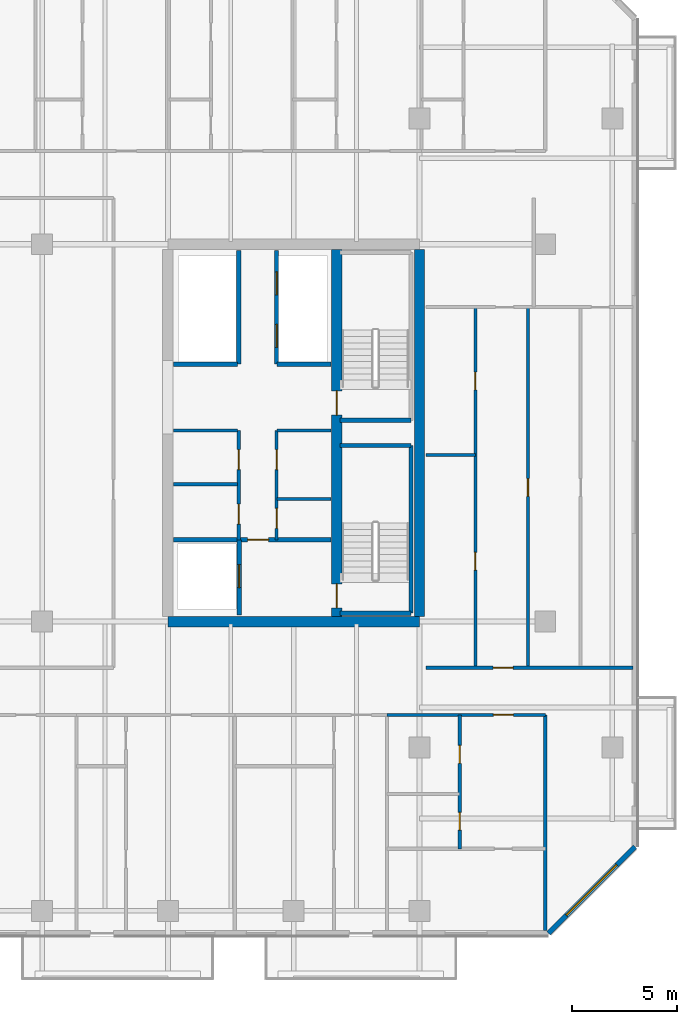
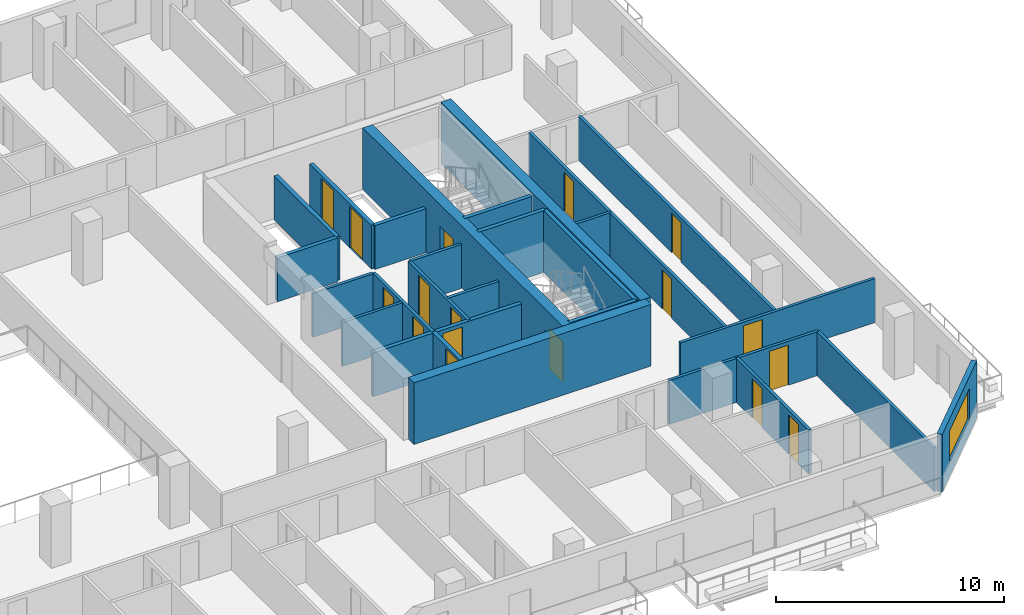
# One storey, part 15 of 23: 27 walls, 17 doors, 1 window, 18 openings.
"""IFC4 building model written with IfcOpenShell, lengths in metres."""

from ifc_helpers import new_model, si_unit, direction, frame, frame_2d, origin, place, context, subcontext, project, spatial, rectangle, extrude, material, layer, layer_set, type_object, element, fill, save


model = new_model("IFC4")

# Units and contexts
model_context = context("Model", 3, precision=1e-05, world=origin(), true_north=direction((0.0, 1.0)))
body_context = subcontext(model_context, "Body", "Model", "MODEL_VIEW")
ifc_project = project(units=[si_unit("LENGTHUNIT", "METRE"), si_unit("AREAUNIT", "SQUARE_METRE"), si_unit("VOLUMEUNIT", "CUBIC_METRE"), si_unit("PLANEANGLEUNIT", "RADIAN"), si_unit("MASSUNIT", "GRAM", prefix="KILO")], contexts=[model_context])

# Site, building, storey
site_placement = place(None, origin())
site = spatial("IfcSite", under=ifc_project, at=site_placement, CompositionType="ELEMENT")
building_placement = place(site_placement, origin())
building = spatial("IfcBuilding", under=site, at=building_placement, Name="Tanjung Sevakor Pilgrim Tower", CompositionType="ELEMENT")
storey_placement = place(building_placement, frame((0.0, 0.0, 101.969970703125)))
storey = spatial("IfcBuildingStorey", under=building, at=storey_placement, Name="L28", CompositionType="ELEMENT", Elevation=101.969970703125)

# Walls
ifc_material_1 = material(Name="Concrete C60/75", Category="concrete")
ifc_layer_1 = layer(ifc_material_1, 0.5)
ifc_layer_set_1 = layer_set([ifc_layer_1], Name="WALL-CW-500")
wall_type_1 = type_object("IfcWallType", Name="WALL-CW-500", PredefinedType="SHEAR", material=ifc_layer_set_1)
wall_1_placement = place(storey_placement, frame((78.0, 24.60009765625, 0.0), z_axis=(0.0, 0.0, 1.0), x_axis=(1.0, 0.0, 0.0)))
element("IfcWall", 1, at=wall_1_placement, inside=storey, type_object=wall_type_1, Name="L28 E Core South Shear Wall", PredefinedType="SHEAR", context=body_context, shape_type="SweptSolid", body=[
    extrude(rectangle(XDim=12.0, YDim=0.5, at=frame_2d((6.0, 0.0))), origin(), (0.0, 0.0, 1.0), 3.300048828125),
])
wall_2_placement = place(storey_placement, frame((90.0, 24.85009765625, 0.0), z_axis=(0.0, 0.0, 1.0), x_axis=(0.0, 1.0, 0.0)))
element("IfcWall", 2, at=wall_2_placement, inside=storey, type_object=wall_type_1, Name="L28 E Core Outer Shear Wall", PredefinedType="SHEAR", context=body_context, shape_type="SweptSolid", body=[
    extrude(rectangle(XDim=17.5, YDim=0.5, at=frame_2d((8.75, 0.0))), origin(), (0.0, 0.0, 1.0), 3.300048828125),
])

# Wall, openings, doors
wall_3_placement = place(storey_placement, frame((86.050048828125, 24.85009765625, 0.0), z_axis=(0.0, 0.0, 1.0), x_axis=(0.0, 1.0, 0.0)))
wall_3 = element("IfcWall", 3, at=wall_3_placement, inside=storey, type_object=wall_type_1, Name="L28 E Core Stair Spine Wall", PredefinedType="SHEAR", context=body_context, shape_type="SweptSolid", body=[
    extrude(rectangle(XDim=17.5, YDim=0.5, at=frame_2d((8.75, 0.0))), origin(), (0.0, 0.0, 1.0), 3.300048828125),
])
opening_1_placement = place(wall_3_placement, frame((0.39990234375, 0.0, 0.0)))
opening_1 = element("IfcOpeningElement", 4, at=opening_1_placement, cuts=wall_3, Name="Opening ID-ST1", PredefinedType="OPENING", context=body_context, shape_type="SweptSolid", body=[
    extrude(rectangle(XDim=1.14990234375, YDim=2.14990234375, at=frame_2d((0.574951171875, 1.074951171875))), frame((0.0, 0.260009765625, 0.0), z_axis=(0.0, -1.0, 0.0), x_axis=(1.0, 0.0, 0.0)), (0.0, 0.0, 1.0), 0.52001953125),
])
opening_2_placement = place(wall_3_placement, frame((9.60009765625, 0.0, 0.0)))
opening_2 = element("IfcOpeningElement", 5, at=opening_2_placement, cuts=wall_3, Name="Opening ID-ST1", PredefinedType="OPENING", context=body_context, shape_type="SweptSolid", body=[
    extrude(rectangle(XDim=1.14990234375, YDim=2.14990234375, at=frame_2d((0.574951171875, 1.074951171875))), frame((0.0, 0.260009765625, 0.0), z_axis=(0.0, -1.0, 0.0), x_axis=(1.0, 0.0, 0.0)), (0.0, 0.0, 1.0), 0.52001953125),
])
ifc_material_2 = material(Name="Fire-Rated Steel S355J2", Category="steel")
door_type_1 = type_object("IfcDoorType", Name="DT-FIRE-1150", OperationType="NOTDEFINED", PredefinedType="DOOR", material=ifc_material_2)
door_1_placement = place(opening_1_placement, origin())
door_1 = element("IfcDoor", 6, at=door_1_placement, inside=storey, type_object=door_type_1, Name="L28 TS-E1 Stair Fire Door", OperationType="SINGLE_SWING_LEFT", OverallHeight=2.14990234375, OverallWidth=1.14990234375, PredefinedType="DOOR", context=body_context, shape_type="SweptSolid", body=[
    extrude(rectangle(XDim=1.14990234375, YDim=2.14990234375, at=frame_2d((0.574951171875, 1.074951171875))), frame((0.0, 0.02490234375, 0.0), z_axis=(0.0, -1.0, 0.0), x_axis=(1.0, 0.0, 0.0)), (0.0, 0.0, 1.0), 0.050048828125),
])
fill(opening_1, door_1)
door_2_placement = place(opening_2_placement, origin())
door_2 = element("IfcDoor", 7, at=door_2_placement, inside=storey, type_object=door_type_1, Name="L28 TS-E2 Stair Fire Door", OperationType="SINGLE_SWING_RIGHT", OverallHeight=2.14990234375, OverallWidth=1.14990234375, PredefinedType="DOOR", context=body_context, shape_type="SweptSolid", body=[
    extrude(rectangle(XDim=1.14990234375, YDim=2.14990234375, at=frame_2d((0.574951171875, 1.074951171875))), frame((0.0, 0.02490234375, 0.0), z_axis=(0.0, -1.0, 0.0), x_axis=(1.0, 0.0, 0.0)), (0.0, 0.0, 1.0), 0.050048828125),
])
fill(opening_2, door_2)

# Walls
ifc_material_3 = material(Name="Concrete C40/50", Category="concrete")
ifc_layer_2 = layer(ifc_material_3, 0.14990234375)
ifc_layer_set_2 = layer_set([ifc_layer_2], Name="WT-COMP-150")
wall_type_2 = type_object("IfcWallType", Name="WT-COMP-150", PredefinedType="SOLIDWALL", material=ifc_layer_set_2)
for number, where, z_axis, x_axis, name in (
    (8, (83.199951171875, 30.449951171875, 0.0), (0.0, 0.0, 1.0), (1.0, 0.0, 0.0), "L28 Partition IW-L28-015"),
    (9, (83.199951171875, 33.719970703125, 0.0), (0.0, 0.0, 1.0), (1.0, 0.0, 0.0), "L28 Partition IW-L28-016"),
):
    element("IfcWall", number, at=place(storey_placement, frame(where, z_axis=z_axis, x_axis=x_axis)), inside=storey, type_object=wall_type_2, Name=name, PredefinedType="SOLIDWALL", context=body_context, shape_type="SweptSolid", body=[
        extrude(rectangle(XDim=2.580078125, YDim=0.14990234375, at=frame_2d((1.2900390625, 0.0))), origin(), (0.0, 0.0, 1.0), 2.35009765625),
    ])

# Wall, openings, doors
wall_4_placement = place(storey_placement, frame((83.179931640625, 28.5, 0.0), z_axis=(0.0, 0.0, 1.0), x_axis=(0.0, 1.0, 0.0)))
wall_4 = element("IfcWall", 10, at=wall_4_placement, inside=storey, type_object=wall_type_2, Name="L28 Partition IW-L28-017", PredefinedType="SOLIDWALL", context=body_context, shape_type="SweptSolid", body=[
    extrude(rectangle(XDim=5.219970703125, YDim=0.14990234375, at=frame_2d((2.60986328125, 0.0))), origin(), (0.0, 0.0, 1.0), 2.35009765625),
])
opening_3_placement = place(wall_4_placement, frame((0.550048828125, 0.0, 0.0)))
opening_3 = element("IfcOpeningElement", 11, at=opening_3_placement, cuts=wall_4, Name="Opening ID-FD2", PredefinedType="OPENING", context=body_context, shape_type="SweptSolid", body=[
    extrude(rectangle(XDim=0.949951171875, YDim=2.14990234375, at=frame_2d((0.47509765625, 1.074951171875))), frame((0.0, 0.0849609375, 0.0), z_axis=(0.0, -1.0, 0.0), x_axis=(1.0, 0.0, 0.0)), (0.0, 0.0, 1.0), 0.169921875),
])
opening_4_placement = place(wall_4_placement, frame((3.35009765625, 0.0, 0.0)))
opening_4 = element("IfcOpeningElement", 12, at=opening_4_placement, cuts=wall_4, Name="Opening ID-FD2", PredefinedType="OPENING", context=body_context, shape_type="SweptSolid", body=[
    extrude(rectangle(XDim=0.949951171875, YDim=2.14990234375, at=frame_2d((0.47509765625, 1.074951171875))), frame((0.0, 0.0849609375, 0.0), z_axis=(0.0, -1.0, 0.0), x_axis=(1.0, 0.0, 0.0)), (0.0, 0.0, 1.0), 0.169921875),
])
ifc_material_4 = material(Name="Fire-Rated Timber", Category="wood")
door_type_2 = type_object("IfcDoorType", Name="DT-FIRE-950", OperationType="NOTDEFINED", PredefinedType="DOOR", material=ifc_material_4)
door_3_placement = place(opening_3_placement, origin())
door_3 = element("IfcDoor", 13, at=door_3_placement, inside=storey, type_object=door_type_2, Name="L28 Cleaner Store Door", OperationType="SINGLE_SWING_RIGHT", OverallHeight=2.14990234375, OverallWidth=0.949951171875, PredefinedType="DOOR", context=body_context, shape_type="SweptSolid", body=[
    extrude(rectangle(XDim=0.949951171875, YDim=2.14990234375, at=frame_2d((0.47509765625, 1.074951171875))), frame((0.0, 0.02490234375, 0.0), z_axis=(0.0, -1.0, 0.0), x_axis=(1.0, 0.0, 0.0)), (0.0, 0.0, 1.0), 0.050048828125),
])
fill(opening_3, door_3)
door_4_placement = place(opening_4_placement, origin())
door_4 = element("IfcDoor", 14, at=door_4_placement, inside=storey, type_object=door_type_2, Name="L28 Housekeeping Pantry Door", OperationType="SINGLE_SWING_LEFT", OverallHeight=2.14990234375, OverallWidth=0.949951171875, PredefinedType="DOOR", context=body_context, shape_type="SweptSolid", body=[
    extrude(rectangle(XDim=0.949951171875, YDim=2.14990234375, at=frame_2d((0.47509765625, 1.074951171875))), frame((0.0, 0.02490234375, 0.0), z_axis=(0.0, -1.0, 0.0), x_axis=(1.0, 0.0, 0.0)), (0.0, 0.0, 1.0), 0.050048828125),
])
fill(opening_4, door_4)

# Walls
for number, where, z_axis, x_axis, name in (
    (15, (78.27001953125, 31.14990234375, 0.0), (0.0, 0.0, 1.0), (1.0, 0.0, 0.0), "L28 Partition IW-L28-018"),
    (16, (78.27001953125, 33.719970703125, 0.0), (0.0, 0.0, 1.0), (1.0, 0.0, 0.0), "L28 Partition IW-L28-019"),
):
    element("IfcWall", number, at=place(storey_placement, frame(where, z_axis=z_axis, x_axis=x_axis)), inside=storey, type_object=wall_type_2, Name=name, PredefinedType="SOLIDWALL", context=body_context, shape_type="SweptSolid", body=[
        extrude(rectangle(XDim=3.050048828125, YDim=0.14990234375, at=frame_2d((1.52490234375, 0.0))), origin(), (0.0, 0.0, 1.0), 2.35009765625),
    ])

# Wall, openings, doors
wall_5_placement = place(storey_placement, frame((81.3798828125, 28.5, 0.0), z_axis=(0.0, 0.0, 1.0), x_axis=(0.0, 1.0, 0.0)))
wall_5 = element("IfcWall", 17, at=wall_5_placement, inside=storey, type_object=wall_type_2, Name="L28 Partition IW-L28-020", PredefinedType="SOLIDWALL", context=body_context, shape_type="SweptSolid", body=[
    extrude(rectangle(XDim=5.219970703125, YDim=0.14990234375, at=frame_2d((2.60986328125, 0.0))), origin(), (0.0, 0.0, 1.0), 2.35009765625),
])
opening_5_placement = place(wall_5_placement, frame((0.75, 0.0, 0.0)))
opening_5 = element("IfcOpeningElement", 18, at=opening_5_placement, cuts=wall_5, Name="Opening ID-FD2", PredefinedType="OPENING", context=body_context, shape_type="SweptSolid", body=[
    extrude(rectangle(XDim=0.949951171875, YDim=2.14990234375, at=frame_2d((0.47509765625, 1.074951171875))), frame((0.0, 0.0849609375, 0.0), z_axis=(0.0, -1.0, 0.0), x_axis=(1.0, 0.0, 0.0)), (0.0, 0.0, 1.0), 0.169921875),
])
opening_6_placement = place(wall_5_placement, frame((3.35009765625, 0.0, 0.0)))
opening_6 = element("IfcOpeningElement", 19, at=opening_6_placement, cuts=wall_5, Name="Opening ID-FD2", PredefinedType="OPENING", context=body_context, shape_type="SweptSolid", body=[
    extrude(rectangle(XDim=0.949951171875, YDim=2.14990234375, at=frame_2d((0.47509765625, 1.074951171875))), frame((0.0, 0.0849609375, 0.0), z_axis=(0.0, -1.0, 0.0), x_axis=(1.0, 0.0, 0.0)), (0.0, 0.0, 1.0), 0.169921875),
])
door_5_placement = place(opening_5_placement, origin())
door_5 = element("IfcDoor", 20, at=door_5_placement, inside=storey, type_object=door_type_2, Name="L28 Accessible WC Door", OperationType="SINGLE_SWING_RIGHT", OverallHeight=2.14990234375, OverallWidth=0.949951171875, PredefinedType="DOOR", context=body_context, shape_type="SweptSolid", body=[
    extrude(rectangle(XDim=0.949951171875, YDim=2.14990234375, at=frame_2d((0.47509765625, 1.074951171875))), frame((0.0, 0.02490234375, 0.0), z_axis=(0.0, -1.0, 0.0), x_axis=(1.0, 0.0, 0.0)), (0.0, 0.0, 1.0), 0.050048828125),
])
fill(opening_5, door_5)
door_6_placement = place(opening_6_placement, origin())
door_6 = element("IfcDoor", 21, at=door_6_placement, inside=storey, type_object=door_type_2, Name="L28 Core Service Door", OperationType="SINGLE_SWING_LEFT", OverallHeight=2.14990234375, OverallWidth=0.949951171875, PredefinedType="DOOR", context=body_context, shape_type="SweptSolid", body=[
    extrude(rectangle(XDim=0.949951171875, YDim=2.14990234375, at=frame_2d((0.47509765625, 1.074951171875))), frame((0.0, 0.02490234375, 0.0), z_axis=(0.0, -1.0, 0.0), x_axis=(1.0, 0.0, 0.0)), (0.0, 0.0, 1.0), 0.050048828125),
])
fill(opening_6, door_6)

# Wall, opening, door
wall_6_placement = place(storey_placement, frame((90.320068359375, 22.39990234375, 0.0), z_axis=(0.0, 0.0, 1.0), x_axis=(1.0, 0.0, 0.0)))
wall_6 = element("IfcWall", 22, at=wall_6_placement, inside=storey, type_object=wall_type_2, Name="L28 Partition IW-L28-040", PredefinedType="SOLIDWALL", context=body_context, shape_type="SweptSolid", body=[
    extrude(rectangle(XDim=9.869873046875, YDim=0.14990234375, at=frame_2d((4.93505859375, 0.0))), origin(), (0.0, 0.0, 1.0), 2.35009765625),
])
opening_7_placement = place(wall_6_placement, frame((3.193359375, 0.0, 0.0)))
opening_7 = element("IfcOpeningElement", 23, at=opening_7_placement, cuts=wall_6, Name="Opening ID-FD2", PredefinedType="OPENING", context=body_context, shape_type="SweptSolid", body=[
    extrude(rectangle(XDim=0.949951171875, YDim=2.14990234375, at=frame_2d((0.47509765625, 1.074951171875))), frame((0.0, 0.0849609375, 0.0), z_axis=(0.0, -1.0, 0.0), x_axis=(1.0, 0.0, 0.0)), (0.0, 0.0, 1.0), 0.169921875),
])
door_7_placement = place(opening_7_placement, origin())
door_7 = element("IfcDoor", 24, at=door_7_placement, inside=storey, type_object=door_type_2, Name="Suite Entrance", OperationType="SINGLE_SWING_LEFT", OverallHeight=2.14990234375, OverallWidth=0.949951171875, PredefinedType="DOOR", context=body_context, shape_type="SweptSolid", body=[
    extrude(rectangle(XDim=0.949951171875, YDim=2.14990234375, at=frame_2d((0.47509765625, 1.074951171875))), frame((0.0, 0.02490234375, 0.0), z_axis=(0.0, -1.0, 0.0), x_axis=(1.0, 0.0, 0.0)), (0.0, 0.0, 1.0), 0.050048828125),
])
fill(opening_7, door_7)

# Wall
wall_7_placement = place(storey_placement, frame((96.0, 9.85009765625, 0.0), z_axis=(0.0, 0.0, 1.0), x_axis=(0.0, 1.0, 0.0)))
element("IfcWall", 25, at=wall_7_placement, inside=storey, type_object=wall_type_2, Name="L28 Partition IW-L28-057", PredefinedType="SOLIDWALL", context=body_context, shape_type="SweptSolid", body=[
    extrude(rectangle(XDim=10.2998046875, YDim=0.14990234375, at=frame_2d((5.14990234375, 0.0))), origin(), (0.0, 0.0, 1.0), 2.35009765625),
])

# Wall, opening, door
wall_8_placement = place(storey_placement, frame((88.453857421875, 20.14990234375, 0.0), z_axis=(0.0, 0.0, 1.0), x_axis=(1.0, 0.0, 0.0)))
wall_8 = element("IfcWall", 26, at=wall_8_placement, inside=storey, type_object=wall_type_2, Name="L28 Partition IW-L28-079", PredefinedType="SOLIDWALL", context=body_context, shape_type="SweptSolid", body=[
    extrude(rectangle(XDim=7.546142578125, YDim=0.14990234375, at=frame_2d((3.77294921875, 0.0))), origin(), (0.0, 0.0, 1.0), 2.35009765625),
])
opening_8_placement = place(wall_8_placement, frame((5.0712890625, 0.0, 0.0)))
opening_8 = element("IfcOpeningElement", 27, at=opening_8_placement, cuts=wall_8, Name="Opening ID-FD2", PredefinedType="OPENING", context=body_context, shape_type="SweptSolid", body=[
    extrude(rectangle(XDim=0.949951171875, YDim=2.14990234375, at=frame_2d((0.47509765625, 1.074951171875))), frame((0.0, 0.0849609375, 0.0), z_axis=(0.0, -1.0, 0.0), x_axis=(1.0, 0.0, 0.0)), (0.0, 0.0, 1.0), 0.169921875),
])
door_8_placement = place(opening_8_placement, origin())
door_8 = element("IfcDoor", 28, at=door_8_placement, inside=storey, type_object=door_type_2, Name="Residence Entrance", OperationType="SINGLE_SWING_LEFT", OverallHeight=2.14990234375, OverallWidth=0.949951171875, PredefinedType="DOOR", context=body_context, shape_type="SweptSolid", body=[
    extrude(rectangle(XDim=0.949951171875, YDim=2.14990234375, at=frame_2d((0.47509765625, 1.074951171875))), frame((0.0, 0.02490234375, 0.0), z_axis=(0.0, -1.0, 0.0), x_axis=(1.0, 0.0, 0.0)), (0.0, 0.0, 1.0), 0.050048828125),
])
fill(opening_8, door_8)

# Wall, opening, window
ifc_material_5 = material(Name="Precast concrete C45/55", Category="concrete")
ifc_layer_3 = layer(ifc_material_5, 0.25)
ifc_layer_set_3 = layer_set([ifc_layer_3], Name="WT-EW-STN3")
wall_type_3 = type_object("IfcWallType", Name="WT-EW-STN3", PredefinedType="SOLIDWALL", material=ifc_layer_set_3)
wall_9_placement = place(storey_placement, frame((96.148193359375, 9.72509765625, 0.0), z_axis=(0.0, 0.0, 1.0), x_axis=(0.707106781187, 0.707106781187, 0.0)))
wall_9 = element("IfcWall", 29, at=wall_9_placement, inside=storey, type_object=wall_type_3, Name="L28 MAIN Sculpted Corner Wall 5", PredefinedType="SOLIDWALL", context=body_context, shape_type="SweptSolid", body=[
    extrude(rectangle(XDim=5.8359375, YDim=0.25, at=frame_2d((2.91796875, 0.0))), origin(), (0.0, 0.0, 1.0), 3.080078125),
])
opening_9_placement = place(wall_9_placement, frame((1.218017578125, 0.0, 0.780029296875)))
opening_9 = element("IfcOpeningElement", 30, at=opening_9_placement, cuts=wall_9, Name="Opening WN-CHM-1660", PredefinedType="OPENING", context=body_context, shape_type="SweptSolid", body=[
    extrude(rectangle(XDim=3.39990234375, YDim=1.659912109375, at=frame_2d((1.699951171875, 0.830078125))), frame((0.0, 0.135009765625, 0.0), z_axis=(0.0, -1.0, 0.0), x_axis=(1.0, 0.0, 0.0)), (0.0, 0.0, 1.0), 0.27001953125),
])
ifc_material_6 = material(Name="Thermally Broken Aluminium and Low-E Glass", Category="aluminium")
window_type = type_object("IfcWindowType", Name="WTYP-WN-CHM-1660", PartitioningType="DOUBLE_PANEL_VERTICAL", PredefinedType="WINDOW", material=ifc_material_6)
window_placement = place(opening_9_placement, origin())
window = element("IfcWindow", 31, at=window_placement, inside=storey, type_object=window_type, Name="L28 Facade Window 01", OverallHeight=1.659912109375, OverallWidth=3.39990234375, PartitioningType="SINGLE_PANEL", PredefinedType="WINDOW", context=body_context, shape_type="SweptSolid", body=[
    extrude(rectangle(XDim=3.39990234375, YDim=1.659912109375, at=frame_2d((1.699951171875, 0.830078125))), frame((0.0, 0.030029296875, 0.0), z_axis=(0.0, -1.0, 0.0), x_axis=(1.0, 0.0, 0.0)), (0.0, 0.0, 1.0), 0.06005859375),
])
fill(opening_9, window)

# Walls
ifc_material_7 = material(Name="Concrete C40/50", Category="concrete")
ifc_layer_4 = layer(ifc_material_7, 0.199951171875)
ifc_layer_set_4 = layer_set([ifc_layer_4], Name="WT-FIRE-200")
wall_type_4 = type_object("IfcWallType", Name="WT-FIRE-200", PredefinedType="SOLIDWALL", material=ifc_layer_set_4)
wall_10_placement = place(storey_placement, frame((86.199951171875, 25.0, 0.0), z_axis=(0.0, 0.0, 1.0), x_axis=(1.0, 0.0, 0.0)))
element("IfcWall", 32, at=wall_10_placement, inside=storey, type_object=wall_type_4, Name="L28 TS-E1 Shaft Wall 1", PredefinedType="SOLIDWALL", context=body_context, shape_type="SweptSolid", body=[
    extrude(rectangle(XDim=3.400146484375, YDim=0.199951171875, at=frame_2d((1.7001953125, 0.0))), origin(), (0.0, 0.0, 1.0), 3.300048828125),
])
wall_11_placement = place(storey_placement, frame((89.60009765625, 25.0, 0.0), z_axis=(0.0, 0.0, 1.0), x_axis=(0.0, 1.0, 0.0)))
element("IfcWall", 33, at=wall_11_placement, inside=storey, type_object=wall_type_4, Name="L28 TS-E1 Shaft Wall 2", PredefinedType="SOLIDWALL", context=body_context, shape_type="SweptSolid", body=[
    extrude(rectangle(XDim=8.0, YDim=0.199951171875, at=frame_2d((4.0, 0.0))), origin(), (0.0, 0.0, 1.0), 3.300048828125),
])
for number, where, z_axis, x_axis, name in (
    (34, (89.60009765625, 33.0, 0.0), (0.0, 0.0, 1.0), (-1.0, 0.0, 0.0), "L28 TS-E1 Shaft Wall 3"),
    (35, (86.199951171875, 34.199951171875, 0.0), (0.0, 0.0, 1.0), (1.0, 0.0, 0.0), "L28 TS-E2 Shaft Wall 1"),
):
    element("IfcWall", number, at=place(storey_placement, frame(where, z_axis=z_axis, x_axis=x_axis)), inside=storey, type_object=wall_type_4, Name=name, PredefinedType="SOLIDWALL", context=body_context, shape_type="SweptSolid", body=[
        extrude(rectangle(XDim=3.400146484375, YDim=0.199951171875, at=frame_2d((1.7001953125, 0.0))), origin(), (0.0, 0.0, 1.0), 3.300048828125),
    ])

# Wall, opening, door
ifc_material_8 = material(Name="Concrete C40/50", Category="concrete")
ifc_layer_5 = layer(ifc_material_8, 0.199951171875)
ifc_layer_set_5 = layer_set([ifc_layer_5], Name="WT-FPRT-200")
wall_type_5 = type_object("IfcWallType", Name="WT-FPRT-200", PredefinedType="SOLIDWALL", material=ifc_layer_set_5)
wall_12_placement = place(storey_placement, frame((81.39990234375, 24.919921875, 0.0), z_axis=(0.0, 0.0, 1.0), x_axis=(0.0, 1.0, 0.0)))
wall_12 = element("IfcWall", 36, at=wall_12_placement, inside=storey, type_object=wall_type_5, Name="L28 Partition IW-L28-013", PredefinedType="SOLIDWALL", context=body_context, shape_type="SweptSolid", body=[
    extrude(rectangle(XDim=3.580078125, YDim=0.199951171875, at=frame_2d((1.7900390625, 0.0))), origin(), (0.0, 0.0, 1.0), 2.35009765625),
])
opening_10_placement = place(wall_12_placement, frame((1.300048828125, 0.0, 0.0)))
opening_10 = element("IfcOpeningElement", 37, at=opening_10_placement, cuts=wall_12, Name="Opening LD-1100", PredefinedType="OPENING", context=body_context, shape_type="SweptSolid", body=[
    extrude(rectangle(XDim=1.10009765625, YDim=2.199951171875, at=frame_2d((0.550048828125, 1.10009765625))), frame((0.0, 0.10986328125, 0.0), z_axis=(0.0, -1.0, 0.0), x_axis=(1.0, 0.0, 0.0)), (0.0, 0.0, 1.0), 0.219970703125),
])
ifc_material_9 = material(Name="Brushed Stainless Steel S355J2", Category="steel")
door_type_3 = type_object("IfcDoorType", Name="DT-LIFT-1100", OperationType="SLIDING_TO_LEFT", PredefinedType="DOOR", material=ifc_material_9)
door_9_placement = place(opening_10_placement, origin())
door_9 = element("IfcDoor", 38, at=door_9_placement, inside=storey, type_object=door_type_3, Name="LD-FL-E", OperationType="SLIDING_TO_LEFT", OverallHeight=2.199951171875, OverallWidth=1.10009765625, PredefinedType="DOOR", context=body_context, shape_type="SweptSolid", body=[
    extrude(rectangle(XDim=1.10009765625, YDim=2.199951171875, at=frame_2d((0.550048828125, 1.10009765625))), frame((0.0, 0.02490234375, 0.0), z_axis=(0.0, -1.0, 0.0), x_axis=(1.0, 0.0, 0.0)), (0.0, 0.0, 1.0), 0.050048828125),
])
fill(opening_10, door_9)

wall_13_placement = place(storey_placement, frame((78.27001953125, 28.5, 0.0), z_axis=(0.0, 0.0, 1.0), x_axis=(1.0, 0.0, 0.0)))
wall_13 = element("IfcWall", 39, at=wall_13_placement, inside=storey, type_object=wall_type_5, Name="L28 Partition IW-L28-014", PredefinedType="SOLIDWALL", context=body_context, shape_type="SweptSolid", body=[
    extrude(rectangle(XDim=7.510009765625, YDim=0.199951171875, at=frame_2d((3.7548828125, 0.0))), origin(), (0.0, 0.0, 1.0), 2.35009765625),
])
opening_11_placement = place(wall_13_placement, frame((3.530029296875, 0.0, 0.0)))
opening_11 = element("IfcOpeningElement", 40, at=opening_11_placement, cuts=wall_13, Name="Opening ID-FD1", PredefinedType="OPENING", context=body_context, shape_type="SweptSolid", body=[
    extrude(rectangle(XDim=1.0, YDim=2.14990234375, at=frame_2d((0.5, 1.074951171875))), frame((0.0, 0.10986328125, 0.0), z_axis=(0.0, -1.0, 0.0), x_axis=(1.0, 0.0, 0.0)), (0.0, 0.0, 1.0), 0.219970703125),
])
ifc_material_10 = material(Name="Fire-Rated Steel S355J2", Category="steel")
door_type_4 = type_object("IfcDoorType", Name="DT-FIRE-1000", OperationType="NOTDEFINED", PredefinedType="DOOR", material=ifc_material_10)
door_10_placement = place(opening_11_placement, origin())
door_10 = element("IfcDoor", 41, at=door_10_placement, inside=storey, type_object=door_type_4, Name="Fire Lobby Door E", OperationType="SINGLE_SWING_LEFT", OverallHeight=2.14990234375, OverallWidth=1.0, PredefinedType="DOOR", context=body_context, shape_type="SweptSolid", body=[
    extrude(rectangle(XDim=1.0, YDim=2.14990234375, at=frame_2d((0.5, 1.074951171875))), frame((0.0, 0.02490234375, 0.0), z_axis=(0.0, -1.0, 0.0), x_axis=(1.0, 0.0, 0.0)), (0.0, 0.0, 1.0), 0.050048828125),
])
fill(opening_11, door_10)

# Wall
wall_14_placement = place(storey_placement, frame((83.199951171875, 36.8798828125, 0.0), z_axis=(0.0, 0.0, 1.0), x_axis=(1.0, 0.0, 0.0)))
element("IfcWall", 42, at=wall_14_placement, inside=storey, type_object=wall_type_5, Name="L28 Partition IW-L28-021", PredefinedType="SOLIDWALL", context=body_context, shape_type="SweptSolid", body=[
    extrude(rectangle(XDim=2.580078125, YDim=0.199951171875, at=frame_2d((1.2900390625, 0.0))), origin(), (0.0, 0.0, 1.0), 2.35009765625),
])

# Wall, openings, doors
wall_15_placement = place(storey_placement, frame((83.179931640625, 36.8798828125, 0.0), z_axis=(0.0, 0.0, 1.0), x_axis=(0.0, 1.0, 0.0)))
wall_15 = element("IfcWall", 43, at=wall_15_placement, inside=storey, type_object=wall_type_5, Name="L28 Partition IW-L28-022", PredefinedType="SOLIDWALL", context=body_context, shape_type="SweptSolid", body=[
    extrude(rectangle(XDim=5.420166015625, YDim=0.199951171875, at=frame_2d((2.7099609375, 0.0))), origin(), (0.0, 0.0, 1.0), 2.35009765625),
])
opening_12_placement = place(wall_15_placement, frame((0.800048828125, 0.0, 0.0)))
opening_12 = element("IfcOpeningElement", 44, at=opening_12_placement, cuts=wall_15, Name="Opening LD-1100", PredefinedType="OPENING", context=body_context, shape_type="SweptSolid", body=[
    extrude(rectangle(XDim=1.10009765625, YDim=2.199951171875, at=frame_2d((0.550048828125, 1.10009765625))), frame((0.0, 0.10986328125, 0.0), z_axis=(0.0, -1.0, 0.0), x_axis=(1.0, 0.0, 0.0)), (0.0, 0.0, 1.0), 0.219970703125),
])
opening_13_placement = place(wall_15_placement, frame((3.300048828125, 0.0, 0.0)))
opening_13 = element("IfcOpeningElement", 45, at=opening_13_placement, cuts=wall_15, Name="Opening LD-1100", PredefinedType="OPENING", context=body_context, shape_type="SweptSolid", body=[
    extrude(rectangle(XDim=1.10009765625, YDim=2.199951171875, at=frame_2d((0.550048828125, 1.10009765625))), frame((0.0, 0.10986328125, 0.0), z_axis=(0.0, -1.0, 0.0), x_axis=(1.0, 0.0, 0.0)), (0.0, 0.0, 1.0), 0.219970703125),
])
door_11_placement = place(opening_12_placement, origin())
door_11 = element("IfcDoor", 46, at=door_11_placement, inside=storey, type_object=door_type_3, Name="LD-PLM1-E", OperationType="SLIDING_TO_LEFT", OverallHeight=2.199951171875, OverallWidth=1.10009765625, PredefinedType="DOOR", context=body_context, shape_type="SweptSolid", body=[
    extrude(rectangle(XDim=1.10009765625, YDim=2.199951171875, at=frame_2d((0.550048828125, 1.10009765625))), frame((0.0, 0.02490234375, 0.0), z_axis=(0.0, -1.0, 0.0), x_axis=(1.0, 0.0, 0.0)), (0.0, 0.0, 1.0), 0.050048828125),
])
fill(opening_12, door_11)
door_12_placement = place(opening_13_placement, origin())
door_12 = element("IfcDoor", 47, at=door_12_placement, inside=storey, type_object=door_type_3, Name="LD-PLM2-E", OperationType="SLIDING_TO_RIGHT", OverallHeight=2.199951171875, OverallWidth=1.10009765625, PredefinedType="DOOR", context=body_context, shape_type="SweptSolid", body=[
    extrude(rectangle(XDim=1.10009765625, YDim=2.199951171875, at=frame_2d((0.550048828125, 1.10009765625))), frame((0.0, 0.02490234375, 0.0), z_axis=(0.0, -1.0, 0.0), x_axis=(1.0, 0.0, 0.0)), (0.0, 0.0, 1.0), 0.050048828125),
])
fill(opening_13, door_12)

# Walls
wall_16_placement = place(storey_placement, frame((78.27001953125, 36.8798828125, 0.0), z_axis=(0.0, 0.0, 1.0), x_axis=(1.0, 0.0, 0.0)))
element("IfcWall", 48, at=wall_16_placement, inside=storey, type_object=wall_type_5, Name="L28 Partition IW-L28-023", PredefinedType="SOLIDWALL", context=body_context, shape_type="SweptSolid", body=[
    extrude(rectangle(XDim=3.050048828125, YDim=0.199951171875, at=frame_2d((1.52490234375, 0.0))), origin(), (0.0, 0.0, 1.0), 2.35009765625),
])
wall_17_placement = place(storey_placement, frame((81.3798828125, 36.8798828125, 0.0), z_axis=(0.0, 0.0, 1.0), x_axis=(0.0, 1.0, 0.0)))
element("IfcWall", 49, at=wall_17_placement, inside=storey, type_object=wall_type_5, Name="L28 Partition IW-L28-024", PredefinedType="SOLIDWALL", context=body_context, shape_type="SweptSolid", body=[
    extrude(rectangle(XDim=5.420166015625, YDim=0.199951171875, at=frame_2d((2.7099609375, 0.0))), origin(), (0.0, 0.0, 1.0), 2.35009765625),
])

# Wall, opening, door
ifc_material_11 = material(Name="Gypsum Board Partition", Category="gypsum board")
ifc_layer_6 = layer(ifc_material_11, 0.14990234375)
ifc_layer_set_6 = layer_set([ifc_layer_6], Name="WT-PART-150")
wall_type_6 = type_object("IfcWallType", Name="WT-PART-150", PredefinedType="PARTITIONING", material=ifc_layer_set_6)
wall_18_placement = place(storey_placement, frame((95.1767578125, 22.39990234375, 0.0), z_axis=(0.0, 0.0, 1.0), x_axis=(0.0, 1.0, 0.0)))
wall_18 = element("IfcWall", 50, at=wall_18_placement, inside=storey, type_object=wall_type_6, Name="L28 Partition IW-L28-034", PredefinedType="PARTITIONING", context=body_context, shape_type="SweptSolid", body=[
    extrude(rectangle(XDim=17.2001953125, YDim=0.14990234375, at=frame_2d((8.60009765625, 0.0))), origin(), (0.0, 0.0, 1.0), 2.35009765625),
])
opening_14_placement = place(wall_18_placement, frame((8.175048828125, 0.0, 0.0)))
opening_14 = element("IfcOpeningElement", 51, at=opening_14_placement, cuts=wall_18, Name="Opening ID-WC1", PredefinedType="OPENING", context=body_context, shape_type="SweptSolid", body=[
    extrude(rectangle(XDim=0.85009765625, YDim=2.10009765625, at=frame_2d((0.425048828125, 1.050048828125))), frame((0.0, 0.0849609375, 0.0), z_axis=(0.0, -1.0, 0.0), x_axis=(1.0, 0.0, 0.0)), (0.0, 0.0, 1.0), 0.169921875),
])
ifc_material_12 = material(Name="Moisture-Resistant Timber", Category="wood")
door_type_5 = type_object("IfcDoorType", Name="DT-INT-850", OperationType="NOTDEFINED", PredefinedType="DOOR", material=ifc_material_12)
door_13_placement = place(opening_14_placement, origin())
door_13 = element("IfcDoor", 52, at=door_13_placement, inside=storey, type_object=door_type_5, Name="Suite Study Room Door", OperationType="SINGLE_SWING_LEFT", OverallHeight=2.10009765625, OverallWidth=0.85009765625, PredefinedType="DOOR", context=body_context, shape_type="SweptSolid", body=[
    extrude(rectangle(XDim=0.85009765625, YDim=2.10009765625, at=frame_2d((0.425048828125, 1.050048828125))), frame((0.0, 0.02490234375, 0.0), z_axis=(0.0, -1.0, 0.0), x_axis=(1.0, 0.0, 0.0)), (0.0, 0.0, 1.0), 0.050048828125),
])
fill(opening_14, door_13)

# Wall
wall_19_placement = place(storey_placement, frame((90.320068359375, 32.548095703125, 0.0), z_axis=(0.0, 0.0, 1.0), x_axis=(1.0, 0.0, 0.0)))
element("IfcWall", 53, at=wall_19_placement, inside=storey, type_object=wall_type_6, Name="L28 Partition IW-L28-036", PredefinedType="PARTITIONING", context=body_context, shape_type="SweptSolid", body=[
    extrude(rectangle(XDim=2.349853515625, YDim=0.14990234375, at=frame_2d((1.1748046875, 0.0))), origin(), (0.0, 0.0, 1.0), 2.35009765625),
])

# Wall, openings, doors
wall_20_placement = place(storey_placement, frame((92.669921875, 22.39990234375, 0.0), z_axis=(0.0, 0.0, 1.0), x_axis=(0.0, 1.0, 0.0)))
wall_20 = element("IfcWall", 54, at=wall_20_placement, inside=storey, type_object=wall_type_6, Name="L28 Partition IW-L28-037", PredefinedType="PARTITIONING", context=body_context, shape_type="SweptSolid", body=[
    extrude(rectangle(XDim=17.2001953125, YDim=0.14990234375, at=frame_2d((8.60009765625, 0.0))), origin(), (0.0, 0.0, 1.0), 2.35009765625),
])
opening_15_placement = place(wall_20_placement, frame((4.64892578125, 0.0, 0.0)))
opening_15 = element("IfcOpeningElement", 55, at=opening_15_placement, cuts=wall_20, Name="Opening ID-WC1", PredefinedType="OPENING", context=body_context, shape_type="SweptSolid", body=[
    extrude(rectangle(XDim=0.85009765625, YDim=2.10009765625, at=frame_2d((0.425048828125, 1.050048828125))), frame((0.0, 0.0849609375, 0.0), z_axis=(0.0, -1.0, 0.0), x_axis=(1.0, 0.0, 0.0)), (0.0, 0.0, 1.0), 0.169921875),
])
opening_16_placement = place(wall_20_placement, frame((13.2490234375, 0.0, 0.0)))
opening_16 = element("IfcOpeningElement", 56, at=opening_16_placement, cuts=wall_20, Name="Opening ID-WC1", PredefinedType="OPENING", context=body_context, shape_type="SweptSolid", body=[
    extrude(rectangle(XDim=0.85009765625, YDim=2.10009765625, at=frame_2d((0.425048828125, 1.050048828125))), frame((0.0, 0.0849609375, 0.0), z_axis=(0.0, -1.0, 0.0), x_axis=(1.0, 0.0, 0.0)), (0.0, 0.0, 1.0), 0.169921875),
])
door_14_placement = place(opening_15_placement, origin())
door_14 = element("IfcDoor", 57, at=door_14_placement, inside=storey, type_object=door_type_5, Name="Suite Kitchenette Door", OperationType="SINGLE_SWING_LEFT", OverallHeight=2.10009765625, OverallWidth=0.85009765625, PredefinedType="DOOR", context=body_context, shape_type="SweptSolid", body=[
    extrude(rectangle(XDim=0.85009765625, YDim=2.10009765625, at=frame_2d((0.425048828125, 1.050048828125))), frame((0.0, 0.02490234375, 0.0), z_axis=(0.0, -1.0, 0.0), x_axis=(1.0, 0.0, 0.0)), (0.0, 0.0, 1.0), 0.050048828125),
])
fill(opening_15, door_14)
door_15_placement = place(opening_16_placement, origin())
door_15 = element("IfcDoor", 58, at=door_15_placement, inside=storey, type_object=door_type_5, Name="Suite Bathroom Door", OperationType="SINGLE_SWING_RIGHT", OverallHeight=2.10009765625, OverallWidth=0.85009765625, PredefinedType="DOOR", context=body_context, shape_type="SweptSolid", body=[
    extrude(rectangle(XDim=0.85009765625, YDim=2.10009765625, at=frame_2d((0.425048828125, 1.050048828125))), frame((0.0, 0.02490234375, 0.0), z_axis=(0.0, -1.0, 0.0), x_axis=(1.0, 0.0, 0.0)), (0.0, 0.0, 1.0), 0.050048828125),
])
fill(opening_16, door_15)

wall_21_placement = place(storey_placement, frame((91.919921875, 13.75927734375, 0.0), z_axis=(0.0, 0.0, 1.0), x_axis=(0.0, 1.0, 0.0)))
wall_21 = element("IfcWall", 59, at=wall_21_placement, inside=storey, type_object=wall_type_6, Name="L28 Partition IW-L28-077", PredefinedType="PARTITIONING", context=body_context, shape_type="SweptSolid", body=[
    extrude(rectangle(XDim=6.390625, YDim=0.14990234375, at=frame_2d((3.1953125, 0.0))), origin(), (0.0, 0.0, 1.0), 2.35009765625),
])
opening_17_placement = place(wall_21_placement, frame((0.885009765625, 0.0, 0.0)))
opening_17 = element("IfcOpeningElement", 60, at=opening_17_placement, cuts=wall_21, Name="Opening ID-WC1", PredefinedType="OPENING", context=body_context, shape_type="SweptSolid", body=[
    extrude(rectangle(XDim=0.85009765625, YDim=2.10009765625, at=frame_2d((0.425048828125, 1.050048828125))), frame((0.0, 0.0849609375, 0.0), z_axis=(0.0, -1.0, 0.0), x_axis=(1.0, 0.0, 0.0)), (0.0, 0.0, 1.0), 0.169921875),
])
opening_18_placement = place(wall_21_placement, frame((4.080322265625, 0.0, 0.0)))
opening_18 = element("IfcOpeningElement", 61, at=opening_18_placement, cuts=wall_21, Name="Opening ID-WC1", PredefinedType="OPENING", context=body_context, shape_type="SweptSolid", body=[
    extrude(rectangle(XDim=0.85009765625, YDim=2.10009765625, at=frame_2d((0.425048828125, 1.050048828125))), frame((0.0, 0.0849609375, 0.0), z_axis=(0.0, -1.0, 0.0), x_axis=(1.0, 0.0, 0.0)), (0.0, 0.0, 1.0), 0.169921875),
])
door_16_placement = place(opening_17_placement, origin())
door_16 = element("IfcDoor", 62, at=door_16_placement, inside=storey, type_object=door_type_5, Name="Residence Bathroom Door", OperationType="SINGLE_SWING_RIGHT", OverallHeight=2.10009765625, OverallWidth=0.85009765625, PredefinedType="DOOR", context=body_context, shape_type="SweptSolid", body=[
    extrude(rectangle(XDim=0.85009765625, YDim=2.10009765625, at=frame_2d((0.425048828125, 1.050048828125))), frame((0.0, 0.02490234375, 0.0), z_axis=(0.0, -1.0, 0.0), x_axis=(1.0, 0.0, 0.0)), (0.0, 0.0, 1.0), 0.050048828125),
])
fill(opening_17, door_16)
door_17_placement = place(opening_18_placement, origin())
door_17 = element("IfcDoor", 63, at=door_17_placement, inside=storey, type_object=door_type_5, Name="Residence Kitchenette Door", OperationType="SINGLE_SWING_LEFT", OverallHeight=2.10009765625, OverallWidth=0.85009765625, PredefinedType="DOOR", context=body_context, shape_type="SweptSolid", body=[
    extrude(rectangle(XDim=0.85009765625, YDim=2.10009765625, at=frame_2d((0.425048828125, 1.050048828125))), frame((0.0, 0.02490234375, 0.0), z_axis=(0.0, -1.0, 0.0), x_axis=(1.0, 0.0, 0.0)), (0.0, 0.0, 1.0), 0.050048828125),
])
fill(opening_18, door_17)

save(model, "model.ifc")
